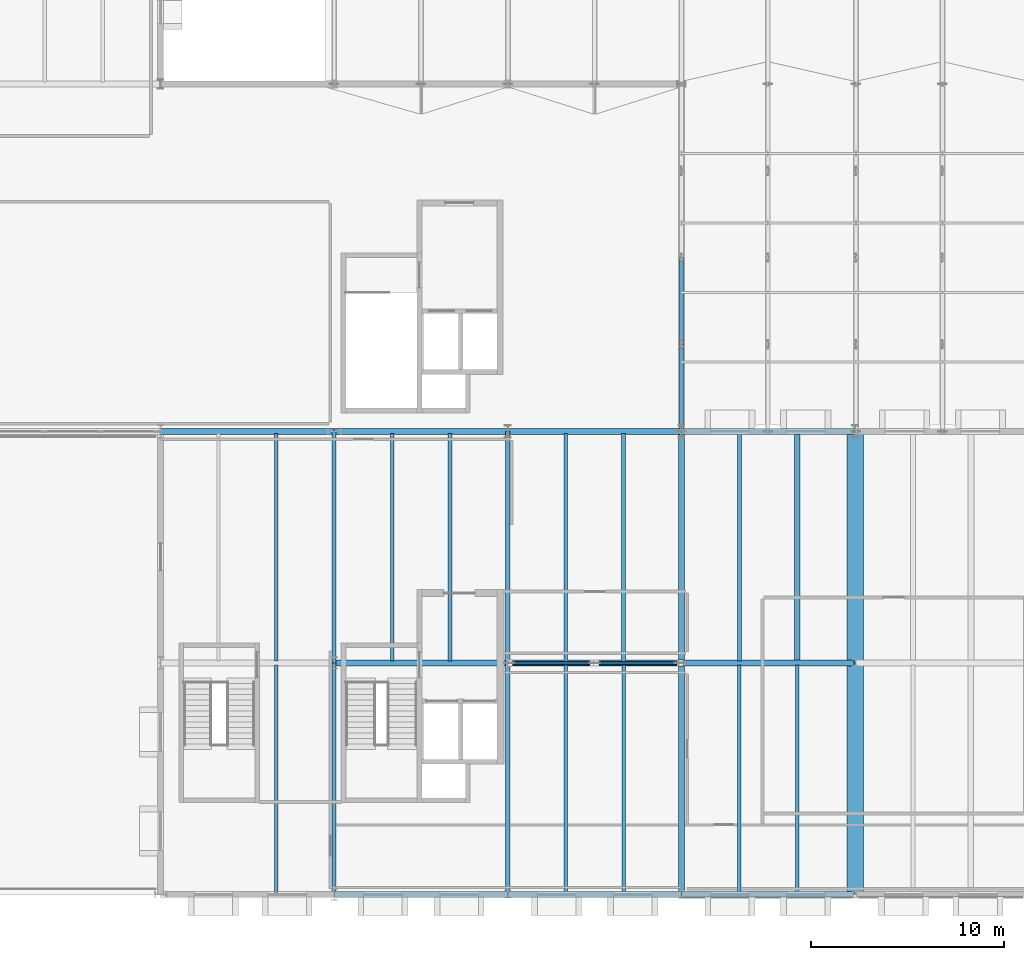
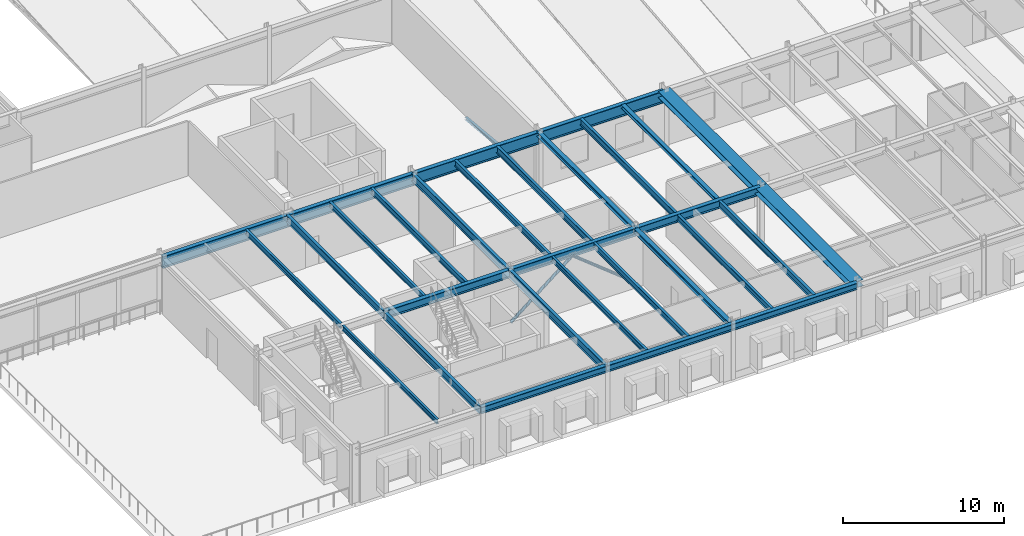
# One storey, part 14 of 142: 30 beams, 4 members.
"""IFC4 building model written with IfcOpenShell, lengths in metres."""

import ifcopenshell
import ifcopenshell.guid

model = None  # the IFC model being written
_history = None  # IfcOwnerHistory: only IFC2X3 demands one
_inside = {}  # id of a spatial element -> (the spatial element, [elements in it])
_under = {}  # id of a project, library or spatial element -> (it, [spatial elements below it])
_declared = {}  # id of a project -> (the project, [libraries it declares])
_typed = {}  # id of a type object -> (the type object, [elements of that type])
_made_of = {}  # id of a material, layer set ... -> (it, [elements and type objects made of it])


def new_model(schema):
    """Start an empty IFC model of exactly this schema.

    Asked for "IFC4X3", IfcOpenShell would pick the latest addendum, in which some entities
    have other attributes; the version numbers below select the first issue.
    IFC2X3 requires an IfcOwnerHistory on every rooted entity: one is made here for all.
    """
    global model, _history
    if schema == "IFC4X3":
        model = ifcopenshell.file(schema_version=(4, 3, 0, 0))
    else:
        model = ifcopenshell.file(schema=schema)
    _inside.clear()
    _under.clear()
    _declared.clear()
    _typed.clear()
    _made_of.clear()
    _history = None
    if model.schema == "IFC2X3":
        org = make("IfcOrganization", Name="unknown")
        user = make(
            "IfcPersonAndOrganization",
            ThePerson=make("IfcPerson", FamilyName="unknown"),
            TheOrganization=org,
        )
        app = make(
            "IfcApplication",
            ApplicationDeveloper=org,
            Version="unknown",
            ApplicationFullName="unknown",
            ApplicationIdentifier="unknown",
        )
        _history = make(
            "IfcOwnerHistory",
            OwningUser=user,
            OwningApplication=app,
            ChangeAction="ADDED",
            CreationDate=0,
        )
    return model


def make(cls, **values):
    """One entity of the class cls with the attributes given. An attribute that is None is left unset."""
    return model.create_entity(
        cls, **{name: value for name, value in values.items() if value is not None}
    )


def rooted(cls, **values):
    """An entity with a GlobalId (a new one), such as an element, a storey or a relation."""
    return make(cls, GlobalId=ifcopenshell.guid.new(), OwnerHistory=_history, **values)


def si_unit(unit_type, name, prefix=None):
    """IfcSIUnit, for example si_unit("LENGTHUNIT", "METRE", prefix="MILLI")."""
    return make("IfcSIUnit", UnitType=unit_type, Prefix=prefix, Name=name)


def assignment(units):
    """IfcUnitAssignment: the units of a project."""
    return None if units is None else make("IfcUnitAssignment", Units=units)


def point(xyz):
    """IfcCartesianPoint."""
    return None if xyz is None else make("IfcCartesianPoint", Coordinates=xyz)


def direction(xyz):
    """IfcDirection."""
    return None if xyz is None else make("IfcDirection", DirectionRatios=xyz)


def frame(location, z_axis=None, x_axis=None):
    """IfcAxis2Placement3D, a coordinate frame: its origin and axes. An axis left out is left unset."""
    return make(
        "IfcAxis2Placement3D",
        Location=point(location),
        Axis=direction(z_axis),
        RefDirection=direction(x_axis),
    )


def frame_2d(location, x_axis=None):
    """IfcAxis2Placement2D, a coordinate frame in the plane: its origin and x axis."""
    return make(
        "IfcAxis2Placement2D", Location=point(location), RefDirection=direction(x_axis)
    )


def origin():
    """The frame at (0, 0, 0) with its axes left unset."""
    return frame((0.0, 0.0, 0.0))


def origin_2d():
    """The frame at (0, 0) in the plane with its x axis left unset."""
    return frame_2d((0.0, 0.0))


def place(relative_to, where):
    """IfcLocalPlacement: puts the frame where relative to a parent placement (None: the world)."""
    return make(
        "IfcLocalPlacement", PlacementRelTo=relative_to, RelativePlacement=where
    )


def context(
    kind, dimensions, precision=None, world=None, true_north=None, identifier=None
):
    """IfcGeometricRepresentationContext, for example the 3D "Model" context."""
    return make(
        "IfcGeometricRepresentationContext",
        ContextIdentifier=identifier,
        ContextType=kind,
        CoordinateSpaceDimension=dimensions,
        Precision=precision,
        WorldCoordinateSystem=world,
        TrueNorth=true_north,
    )


def subcontext(parent, identifier, kind, view, scale=None):
    """IfcGeometricRepresentationSubContext, for example "Body" below "Model"."""
    return make(
        "IfcGeometricRepresentationSubContext",
        ContextIdentifier=identifier,
        ContextType=kind,
        ParentContext=parent,
        TargetScale=scale,
        TargetView=view,
    )


def project(units=None, contexts=None):
    """IfcProject with its units and contexts."""
    return rooted(
        "IfcProject",
        Name="project",
        RepresentationContexts=contexts,
        UnitsInContext=assignment(units),
    )


def spatial(cls, under=None, at=None, **own):
    """A site, building, storey or space (cls), placed at a placement, below another one or the project."""
    s = rooted(cls, ObjectPlacement=at, **own)
    if under is not None:
        _under.setdefault(under.id(), (under, []))[1].append(s)
    return s


def profile(cls, at=None, kind="AREA", **sizes):
    """A parametric profile (cls). Its sizes go by their IFC names, for example OverallWidth=200.0."""
    return make(cls, ProfileType=kind, Position=at, **sizes)


def hollow_circle(**sizes):
    """IfcCircleHollowProfileDef."""
    return profile("IfcCircleHollowProfileDef", **sizes)


def i_section(**sizes):
    """IfcIShapeProfileDef."""
    return profile("IfcIShapeProfileDef", **sizes)


def extrude(swept, where, along, depth):
    """IfcExtrudedAreaSolid: the profile swept, set in the frame where, extruded along a direction by depth."""
    return make(
        "IfcExtrudedAreaSolid",
        SweptArea=swept,
        Position=where,
        ExtrudedDirection=direction(along),
        Depth=depth,
    )


def shape(context_of_items, identifier, shape_type, items):
    """IfcShapeRepresentation: the items that make up one representation, for example the "Body"."""
    return make(
        "IfcShapeRepresentation",
        ContextOfItems=context_of_items,
        RepresentationIdentifier=identifier,
        RepresentationType=shape_type,
        Items=items,
    )


def material(Name=None, Category=None):
    """IfcMaterial."""
    return make("IfcMaterial", Name=Name, Category=Category)


def material_profile(
    of_material, cross_section, Name=None, Category=None, Priority=None
):
    """IfcMaterialProfile: a cross section and its material."""
    return make(
        "IfcMaterialProfile",
        Name=Name,
        Material=of_material,
        Profile=cross_section,
        Priority=Priority,
        Category=Category,
    )


def profile_set(profiles, Name=None, composite=None):
    """IfcMaterialProfileSet."""
    return make(
        "IfcMaterialProfileSet",
        Name=Name,
        MaterialProfiles=profiles,
        CompositeProfile=composite,
    )


def made_of(thing, what):
    """Note that an element or type object is made of a material, layer set ...; save() writes the relation."""
    if what is not None:
        _made_of.setdefault(what.id(), (what, []))[1].append(thing)
    return thing


def type_object(cls, material=None, **own):
    """A type object (cls), such as IfcWallType, which elements share."""
    return made_of(rooted(cls, **own), material)


def element(
    cls,
    number,
    at=None,
    inside=None,
    cuts=None,
    type_object=None,
    material=None,
    context=None,
    identifier="Body",
    shape_type=None,
    held_by="IfcProductDefinitionShape",
    body=None,
    shapes=None,
    **own,
):
    """One element of the class cls, such as IfcWall. Its Tag is "e" and its number.

    at: its placement. inside: the storey or other place that contains it. cuts: it is an
    opening in that element (IfcRelVoidsElement). A single representation is given by context,
    identifier, shape_type and body (its items); several are given by shapes. held_by: the class
    of the entity that holds the representations. save() writes the other relations.
    """
    e = rooted(cls, Tag="e%d" % number, ObjectPlacement=at, **own)
    if body is not None:
        shapes = [shape(context, identifier, shape_type, body)]
    if shapes is not None:
        e.Representation = make(held_by, Representations=shapes)
    if inside is not None:
        _inside.setdefault(inside.id(), (inside, []))[1].append(e)
    if cuts is not None:
        rooted(
            "IfcRelVoidsElement", RelatingBuildingElement=cuts, RelatedOpeningElement=e
        )
    if type_object is not None:
        _typed.setdefault(type_object.id(), (type_object, []))[1].append(e)
    return made_of(e, material)


def aggregate(whole, parts):
    """IfcRelAggregates: a whole, such as a stair, and the parts it consists of."""
    return rooted("IfcRelAggregates", RelatingObject=whole, RelatedObjects=parts)


def save(model, path):
    """Write the relations noted so far, then the file.

    IfcRelAggregates (storeys below a building ...), IfcRelContainedInSpatialStructure (elements
    in a storey), IfcRelDefinesByType, IfcRelAssociatesMaterial and IfcRelDeclares: one each for
    every whole, place, type object, material and project.
    """
    for whole, parts in _under.values():
        aggregate(whole, parts)
    for where, things in _inside.values():
        rooted(
            "IfcRelContainedInSpatialStructure",
            RelatedElements=things,
            RelatingStructure=where,
        )
    for kind, things in _typed.values():
        rooted("IfcRelDefinesByType", RelatedObjects=things, RelatingType=kind)
    for what, things in _made_of.values():
        rooted("IfcRelAssociatesMaterial", RelatedObjects=things, RelatingMaterial=what)
    for by, libraries in _declared.values():
        rooted("IfcRelDeclares", RelatingContext=by, RelatedDefinitions=libraries)
    model.write(path)


model = new_model("IFC4")

# Units and contexts
model_context = context("Model", 3, precision=1e-05, world=origin(), true_north=direction((0.0, 1.0)))
body_context = subcontext(model_context, "Body", "Model", "MODEL_VIEW")
ifc_project = project(units=[si_unit("LENGTHUNIT", "METRE"), si_unit("AREAUNIT", "SQUARE_METRE"), si_unit("VOLUMEUNIT", "CUBIC_METRE"), si_unit("PLANEANGLEUNIT", "RADIAN"), si_unit("MASSUNIT", "GRAM", prefix="KILO")], contexts=[model_context])

# Site, building, storey
site_placement = place(None, origin())
site = spatial("IfcSite", under=ifc_project, at=site_placement, CompositionType="ELEMENT")
building_placement = place(site_placement, origin())
building = spatial("IfcBuilding", under=site, at=building_placement, Name="Montelvaro Courts of Justice", CompositionType="ELEMENT")
storey_placement = place(building_placement, frame((0.0, 0.0, 14.39990234375)))
storey = spatial("IfcBuildingStorey", under=building, at=storey_placement, Name="L03", CompositionType="ELEMENT", Elevation=14.39990234375)

# Beams
ifc_material = material(Name="Steel S355", Category="steel")
ifc_material_profile_1 = material_profile(ifc_material, i_section(OverallWidth=0.280029296875, OverallDepth=0.27001953125, WebThickness=0.008056640625, FlangeThickness=0.012939453125, at=origin_2d()), Name="HEA 280")
ifc_profile_set_1 = profile_set([ifc_material_profile_1], Name="Steel S355")
beam_type_1 = type_object("IfcBeamType", Name="Beam_HEA280", PredefinedType="BEAM", material=ifc_profile_set_1)
beam_1_placement = place(storey_placement, frame((78.0, 12.110107421875, 4.045166015625), z_axis=(0.0, 1.0, 0.0), x_axis=(-1.0, 0.0, 0.0)))
element("IfcBeam", 1, at=beam_1_placement, inside=storey, type_object=beam_type_1, Name="Beam B-14 L03", PredefinedType="BEAM", context=body_context, shape_type="SweptSolid", body=[
    extrude(i_section(OverallWidth=0.280029296875, OverallDepth=0.27001953125, WebThickness=0.008056640625, FlangeThickness=0.012939453125, at=origin_2d()), origin(), (0.0, 0.0, 1.0), 11.77978515625),
])
ifc_material_profile_2 = material_profile(ifc_material, i_section(OverallWidth=0.300048828125, OverallDepth=0.35009765625, WebThickness=0.010009765625, FlangeThickness=0.017578125, at=origin_2d()), Name="HEA 360")
ifc_profile_set_2 = profile_set([ifc_material_profile_2], Name="Steel S355")
beam_type_2 = type_object("IfcBeamType", Name="Beam_HEA360", PredefinedType="USERDEFINED", material=ifc_profile_set_2)
for number, where, z_axis, x_axis, name in (
    (2, (72.0, 0.0, 4.005126953125), (0.0, 1.0, 0.0), (-1.0, 0.0, 0.0), "Beam B-16 L03"),
    (3, (72.0, 12.0, 4.005126953125), (0.0, 1.0, 0.0), (-1.0, 0.0, 0.0), "Beam B-16 L03"),
):
    element("IfcBeam", number, at=place(storey_placement, frame(where, z_axis=z_axis, x_axis=x_axis)), inside=storey, type_object=beam_type_2, Name=name, ObjectType="GIRDER", PredefinedType="USERDEFINED", context=body_context, shape_type="SweptSolid", body=[
        extrude(i_section(OverallWidth=0.300048828125, OverallDepth=0.35009765625, WebThickness=0.010009765625, FlangeThickness=0.017578125, at=origin_2d()), origin(), (0.0, 0.0, 1.0), 12.0),
    ])
ifc_material_profile_3 = material_profile(ifc_material, i_section(OverallWidth=0.300048828125, OverallDepth=0.5, WebThickness=0.014404296875, FlangeThickness=0.028076171875, at=origin_2d()), Name="HEB 500")
ifc_profile_set_3 = profile_set([ifc_material_profile_3], Name="Steel S355")
beam_type_3 = type_object("IfcBeamType", Name="Beam_HEB500", PredefinedType="USERDEFINED", material=ifc_profile_set_3)
for number, where, z_axis, x_axis, name in (
    (4, (54.0, 0.0, 3.93017578125), (1.0, 0.0, 0.0), (0.0, 1.0, 0.0), "Beam B-25 L03"),
    (5, (63.0, 0.0, 3.93017578125), (1.0, 0.0, 0.0), (0.0, 1.0, 0.0), "Beam B-25 L03"),
):
    element("IfcBeam", number, at=place(storey_placement, frame(where, z_axis=z_axis, x_axis=x_axis)), inside=storey, type_object=beam_type_3, Name=name, ObjectType="GIRDER", PredefinedType="USERDEFINED", context=body_context, shape_type="SweptSolid", body=[
        extrude(i_section(OverallWidth=0.300048828125, OverallDepth=0.5, WebThickness=0.014404296875, FlangeThickness=0.028076171875, at=origin_2d()), origin(), (0.0, 0.0, 1.0), 9.0),
    ])
beam_2_placement = place(storey_placement, frame((72.0, 0.0, 3.93017578125), z_axis=(1.0, 0.0, 0.0), x_axis=(0.0, 1.0, 0.0)))
element("IfcBeam", 6, at=beam_2_placement, inside=storey, type_object=beam_type_3, Name="Beam B-25 L03", ObjectType="GIRDER", PredefinedType="USERDEFINED", context=body_context, shape_type="SweptSolid", body=[
    extrude(i_section(OverallWidth=0.300048828125, OverallDepth=0.5, WebThickness=0.014404296875, FlangeThickness=0.028076171875, at=origin_2d()), origin(), (0.0, 0.0, 1.0), 8.949951171875),
])
ifc_material_profile_4 = material_profile(ifc_material, i_section(OverallWidth=0.300048828125, OverallDepth=0.60009765625, WebThickness=0.015380859375, FlangeThickness=0.030029296875, at=origin_2d()), Name="HEB 600")
ifc_profile_set_4 = profile_set([ifc_material_profile_4], Name="Steel S355")
beam_type_4 = type_object("IfcBeamType", Name="Beam_HEB600", PredefinedType="USERDEFINED", material=ifc_profile_set_4)
for number, where, z_axis, x_axis, name in (
    (7, (54.0, 12.0, 3.880126953125), (1.0, 0.0, 0.0), (0.0, 1.0, 0.0), "Beam B-26 L03"),
    (8, (63.0, 12.0, 3.880126953125), (1.0, 0.0, 0.0), (0.0, 1.0, 0.0), "Beam B-26 L03"),
):
    element("IfcBeam", number, at=place(storey_placement, frame(where, z_axis=z_axis, x_axis=x_axis)), inside=storey, type_object=beam_type_4, Name=name, ObjectType="GIRDER", PredefinedType="USERDEFINED", context=body_context, shape_type="SweptSolid", body=[
        extrude(i_section(OverallWidth=0.300048828125, OverallDepth=0.60009765625, WebThickness=0.015380859375, FlangeThickness=0.030029296875, at=origin_2d()), origin(), (0.0, 0.0, 1.0), 9.0),
    ])
beam_3_placement = place(storey_placement, frame((72.0, 12.0, 3.880126953125), z_axis=(1.0, 0.0, 0.0), x_axis=(0.0, 1.0, 0.0)))
element("IfcBeam", 9, at=beam_3_placement, inside=storey, type_object=beam_type_4, Name="Beam B-26 L03", ObjectType="GIRDER", PredefinedType="USERDEFINED", context=body_context, shape_type="SweptSolid", body=[
    extrude(i_section(OverallWidth=0.300048828125, OverallDepth=0.60009765625, WebThickness=0.015380859375, FlangeThickness=0.030029296875, at=origin_2d()), origin(), (0.0, 0.0, 1.0), 8.949951171875),
])
ifc_material_profile_5 = material_profile(ifc_material, i_section(OverallWidth=0.300048828125, OverallDepth=0.89990234375, WebThickness=0.0185546875, FlangeThickness=0.034912109375, at=origin_2d()), Name="HEB 900")
ifc_profile_set_5 = profile_set([ifc_material_profile_5], Name="Steel S355")
beam_type_5 = type_object("IfcBeamType", Name="Beam_HEB900", PredefinedType="USERDEFINED", material=ifc_profile_set_5)
for number, where, z_axis, x_axis, name in (
    (10, (45.0, 24.0, 3.72998046875), (1.0, 0.0, 0.0), (0.0, 1.0, 0.0), "Beam B-30 L03"),
    (11, (54.0, 24.0, 3.72998046875), (1.0, 0.0, 0.0), (0.0, 1.0, 0.0), "Beam B-30 L03"),
    (12, (63.0, 24.0, 3.72998046875), (1.0, 0.0, 0.0), (0.0, 1.0, 0.0), "Beam B-30 L03"),
):
    element("IfcBeam", number, at=place(storey_placement, frame(where, z_axis=z_axis, x_axis=x_axis)), inside=storey, type_object=beam_type_5, Name=name, ObjectType="GIRDER", PredefinedType="USERDEFINED", context=body_context, shape_type="SweptSolid", body=[
        extrude(i_section(OverallWidth=0.300048828125, OverallDepth=0.89990234375, WebThickness=0.0185546875, FlangeThickness=0.034912109375, at=origin_2d()), origin(), (0.0, 0.0, 1.0), 9.0),
    ])
beam_4_placement = place(storey_placement, frame((72.0, 24.0, 3.72998046875), z_axis=(1.0, 0.0, 0.0), x_axis=(0.0, 1.0, 0.0)))
element("IfcBeam", 13, at=beam_4_placement, inside=storey, type_object=beam_type_5, Name="Beam B-30 L03", ObjectType="GIRDER", PredefinedType="USERDEFINED", context=body_context, shape_type="SweptSolid", body=[
    extrude(i_section(OverallWidth=0.300048828125, OverallDepth=0.89990234375, WebThickness=0.0185546875, FlangeThickness=0.034912109375, at=origin_2d()), origin(), (0.0, 0.0, 1.0), 8.949951171875),
])
ifc_material_profile_6 = material_profile(ifc_material, i_section(OverallWidth=0.169921875, OverallDepth=0.360107421875, WebThickness=0.008056640625, FlangeThickness=0.0126953125, at=origin_2d()), Name="IPE 360")
ifc_profile_set_6 = profile_set([ifc_material_profile_6], Name="Steel S355")
beam_type_6 = type_object("IfcBeamType", Name="Beam_IPE360", PredefinedType="BEAM", material=ifc_profile_set_6)
beam_5_placement = place(storey_placement, frame((51.0, 0.110107421875, 4.0), z_axis=(0.0, 1.0, 0.0), x_axis=(-1.0, 0.0, 0.0)))
element("IfcBeam", 14, at=beam_5_placement, inside=storey, type_object=beam_type_6, Name="Beam B-07 L03", PredefinedType="BEAM", context=body_context, shape_type="SweptSolid", body=[
    extrude(i_section(OverallWidth=0.169921875, OverallDepth=0.360107421875, WebThickness=0.008056640625, FlangeThickness=0.0126953125, at=origin_2d()), origin(), (0.0, 0.0, 1.0), 11.77978515625),
])
ifc_material_profile_7 = material_profile(ifc_material, i_section(OverallWidth=0.179931640625, OverallDepth=0.39990234375, WebThickness=0.008544921875, FlangeThickness=0.013427734375, at=origin_2d()), Name="IPE 400")
ifc_profile_set_7 = profile_set([ifc_material_profile_7], Name="Steel S355")
beam_type_7 = type_object("IfcBeamType", Name="Beam_IPE400", PredefinedType="BEAM", material=ifc_profile_set_7)
for number, where, z_axis, x_axis, name in (
    (15, (51.0, 12.110107421875, 3.97998046875), (0.0, 1.0, 0.0), (-1.0, 0.0, 0.0), "Beam B-08 L03"),
    (16, (57.0, 12.110107421875, 3.97998046875), (0.0, 1.0, 0.0), (-1.0, 0.0, 0.0), "Beam B-08 L03"),
    (17, (66.0, 0.110107421875, 3.97998046875), (0.0, 1.0, 0.0), (-1.0, 0.0, 0.0), "Beam B-08 L03"),
):
    element("IfcBeam", number, at=place(storey_placement, frame(where, z_axis=z_axis, x_axis=x_axis)), inside=storey, type_object=beam_type_7, Name=name, PredefinedType="BEAM", context=body_context, shape_type="SweptSolid", body=[
        extrude(i_section(OverallWidth=0.179931640625, OverallDepth=0.39990234375, WebThickness=0.008544921875, FlangeThickness=0.013427734375, at=origin_2d()), origin(), (0.0, 0.0, 1.0), 11.77978515625),
    ])
ifc_material_profile_8 = material_profile(ifc_material, i_section(OverallWidth=0.18994140625, OverallDepth=0.449951171875, WebThickness=0.009521484375, FlangeThickness=0.0146484375, at=origin_2d()), Name="IPE 450")
ifc_profile_set_8 = profile_set([ifc_material_profile_8], Name="Steel S355")
beam_type_8 = type_object("IfcBeamType", Name="Beam_IPE450", PredefinedType="BEAM", material=ifc_profile_set_8)
for number, where, z_axis, x_axis, name in (
    (18, (60.0, 12.110107421875, 3.955078125), (0.0, 1.0, 0.0), (-1.0, 0.0, 0.0), "Beam B-09 L03"),
    (19, (69.0, 0.110107421875, 3.955078125), (0.0, 1.0, 0.0), (-1.0, 0.0, 0.0), "Beam B-09 L03"),
    (20, (66.0, 12.110107421875, 3.955078125), (0.0, 1.0, 0.0), (-1.0, 0.0, 0.0), "Beam B-09 L03"),
    (21, (75.0, 0.110107421875, 3.955078125), (0.0, 1.0, 0.0), (-1.0, 0.0, 0.0), "Beam B-09 L03"),
):
    element("IfcBeam", number, at=place(storey_placement, frame(where, z_axis=z_axis, x_axis=x_axis)), inside=storey, type_object=beam_type_8, Name=name, PredefinedType="BEAM", context=body_context, shape_type="SweptSolid", body=[
        extrude(i_section(OverallWidth=0.18994140625, OverallDepth=0.449951171875, WebThickness=0.009521484375, FlangeThickness=0.0146484375, at=origin_2d()), origin(), (0.0, 0.0, 1.0), 11.77978515625),
    ])
ifc_material_profile_9 = material_profile(ifc_material, i_section(OverallWidth=0.199951171875, OverallDepth=0.5, WebThickness=0.01025390625, FlangeThickness=0.01611328125, at=origin_2d()), Name="IPE 500")
ifc_profile_set_9 = profile_set([ifc_material_profile_9], Name="Steel S355")
beam_type_9 = type_object("IfcBeamType", Name="Beam_IPE500", PredefinedType="BEAM", material=ifc_profile_set_9)
for number, where, z_axis, x_axis, name in (
    (22, (69.0, 12.110107421875, 3.93017578125), (0.0, 1.0, 0.0), (-1.0, 0.0, 0.0), "Beam B-10 L03"),
    (23, (78.0, 0.110107421875, 3.93017578125), (0.0, 1.0, 0.0), (-1.0, 0.0, 0.0), "Beam B-10 L03"),
    (24, (75.0, 12.110107421875, 3.93017578125), (0.0, 1.0, 0.0), (-1.0, 0.0, 0.0), "Beam B-10 L03"),
):
    element("IfcBeam", number, at=place(storey_placement, frame(where, z_axis=z_axis, x_axis=x_axis)), inside=storey, type_object=beam_type_9, Name=name, PredefinedType="BEAM", context=body_context, shape_type="SweptSolid", body=[
        extrude(i_section(OverallWidth=0.199951171875, OverallDepth=0.5, WebThickness=0.01025390625, FlangeThickness=0.01611328125, at=origin_2d()), origin(), (0.0, 0.0, 1.0), 11.77978515625),
    ])
ifc_material_profile_10 = material_profile(ifc_material, i_section(OverallWidth=0.2099609375, OverallDepth=0.550048828125, WebThickness=0.010986328125, FlangeThickness=0.01708984375, at=origin_2d()), Name="IPE 550")
ifc_profile_set_10 = profile_set([ifc_material_profile_10], Name="Steel S355")
beam_type_10 = type_object("IfcBeamType", Name="Beam_IPE550", PredefinedType="BEAM", material=ifc_profile_set_10)
for number, where, z_axis, x_axis, name in (
    (25, (54.0, 0.0, 3.905029296875), (0.0, 1.0, 0.0), (-1.0, 0.0, 0.0), "Beam B-11 L03"),
    (26, (54.0, 12.0, 3.905029296875), (0.0, 1.0, 0.0), (-1.0, 0.0, 0.0), "Beam B-11 L03"),
):
    element("IfcBeam", number, at=place(storey_placement, frame(where, z_axis=z_axis, x_axis=x_axis)), inside=storey, type_object=beam_type_10, Name=name, PredefinedType="BEAM", context=body_context, shape_type="SweptSolid", body=[
        extrude(i_section(OverallWidth=0.2099609375, OverallDepth=0.550048828125, WebThickness=0.010986328125, FlangeThickness=0.01708984375, at=origin_2d()), origin(), (0.0, 0.0, 1.0), 12.0),
    ])
ifc_material_profile_11 = material_profile(ifc_material, i_section(OverallWidth=0.219970703125, OverallDepth=0.60009765625, WebThickness=0.011962890625, FlangeThickness=0.01904296875, at=origin_2d()), Name="IPE 600")
ifc_profile_set_11 = profile_set([ifc_material_profile_11], Name="Steel S355")
beam_type_11 = type_object("IfcBeamType", Name="Beam_IPE600", PredefinedType="USERDEFINED", material=ifc_profile_set_11)
for number, where, z_axis, x_axis, name in (
    (27, (63.0, 0.0, 3.880126953125), (0.0, 1.0, 0.0), (-1.0, 0.0, 0.0), "Beam B-12 L03"),
    (28, (63.0, 12.0, 3.880126953125), (0.0, 1.0, 0.0), (-1.0, 0.0, 0.0), "Beam B-12 L03"),
):
    element("IfcBeam", number, at=place(storey_placement, frame(where, z_axis=z_axis, x_axis=x_axis)), inside=storey, type_object=beam_type_11, Name=name, ObjectType="GIRDER", PredefinedType="USERDEFINED", context=body_context, shape_type="SweptSolid", body=[
        extrude(i_section(OverallWidth=0.219970703125, OverallDepth=0.60009765625, WebThickness=0.011962890625, FlangeThickness=0.01904296875, at=origin_2d()), origin(), (0.0, 0.0, 1.0), 12.0),
    ])
ifc_material_profile_12 = material_profile(ifc_material, i_section(OverallWidth=0.860107421875, OverallDepth=0.47998046875, WebThickness=0.02001953125, FlangeThickness=0.031982421875, at=origin_2d()), Name="HL 480x860")
ifc_profile_set_12 = profile_set([ifc_material_profile_12], Name="Steel S355")
beam_type_12 = type_object("IfcBeamType", Name="Beam_MJSeat_860", PredefinedType="USERDEFINED", material=ifc_profile_set_12)
for number, where, z_axis, x_axis, name in (
    (29, (81.0, 0.0, 3.940185546875), (0.0, 1.0, 0.0), (-1.0, 0.0, 0.0), "Beam BC-01 L03"),
    (30, (81.0, 12.0, 3.940185546875), (0.0, 1.0, 0.0), (-1.0, 0.0, 0.0), "Beam BC-01 L03"),
):
    element("IfcBeam", number, at=place(storey_placement, frame(where, z_axis=z_axis, x_axis=x_axis)), inside=storey, type_object=beam_type_12, Name=name, ObjectType="GIRDER", PredefinedType="USERDEFINED", context=body_context, shape_type="SweptSolid", body=[
        extrude(i_section(OverallWidth=0.860107421875, OverallDepth=0.47998046875, WebThickness=0.02001953125, FlangeThickness=0.031982421875, at=origin_2d()), origin(), (0.0, 0.0, 1.0), 12.0),
    ])

# Members
ifc_material_profile_13 = material_profile(ifc_material, hollow_circle(Radius=0.109619140625, WallThickness=0.010009765625, at=origin_2d()), Name="CHS 219.1x10")
ifc_profile_set_13 = profile_set([ifc_material_profile_13], Name="Steel S355")
member_type_1 = type_object("IfcMemberType", Name="Mem_CHS219_Brace", PredefinedType="BRACE", material=ifc_profile_set_13)
for number, where, z_axis, x_axis, name in (
    (31, (63.080078125, 12.0, 0.080078125), (0.782241151361, 0.0, 0.622975746814), (0.0, 1.0, 0.0), "Lateral Braced Frame CBF1 Diagonal 1 (L03)"),
    (32, (71.919921875, 12.0, 0.080078125), (-0.782241151361, 0.0, 0.622975746814), (0.0, -1.0, 0.0), "Lateral Braced Frame CBF1 Diagonal 2 (L03)"),
):
    element("IfcMember", number, at=place(storey_placement, frame(where, z_axis=z_axis, x_axis=x_axis)), inside=storey, type_object=member_type_1, Name=name, PredefinedType="BRACE", context=body_context, shape_type="SweptSolid", body=[
        extrude(hollow_circle(Radius=0.109619140625, WallThickness=0.010009765625, at=origin_2d()), origin(), (0.0, 0.0, 1.0), 5.650390625),
    ])
ifc_material_profile_14 = material_profile(ifc_material, i_section(OverallWidth=0.199951171875, OverallDepth=0.18994140625, WebThickness=0.006591796875, FlangeThickness=0.010009765625, at=origin_2d()), Name="HEA 200")
ifc_profile_set_14 = profile_set([ifc_material_profile_14], Name="Steel S355")
member_type_2 = type_object("IfcMemberType", Name="Mem_HEA200_Brace", PredefinedType="BRACE", material=ifc_profile_set_14)
for number, where, z_axis, x_axis, name in (
    (33, (72.0, 24.0, -0.2998046875), (0.0, 0.995467028461, 0.09510728283), (-1.0, 0.0, 0.0), "Roof Truss Web MB-02 ROOF-PASSAGE-S-VTR01-W1"),
    (34, (72.0, 28.5, 0.130126953125), (0.0, 0.995467028461, -0.09510728283), (-1.0, 0.0, 0.0), "Roof Truss Web MB-02 ROOF-PASSAGE-S-VTR01-W2"),
):
    element("IfcMember", number, at=place(storey_placement, frame(where, z_axis=z_axis, x_axis=x_axis)), inside=storey, type_object=member_type_2, Name=name, PredefinedType="BRACE", context=body_context, shape_type="SweptSolid", body=[
        extrude(i_section(OverallWidth=0.199951171875, OverallDepth=0.18994140625, WebThickness=0.006591796875, FlangeThickness=0.010009765625, at=origin_2d()), origin(), (0.0, 0.0, 1.0), 4.5205078125),
    ])

save(model, "model.ifc")
